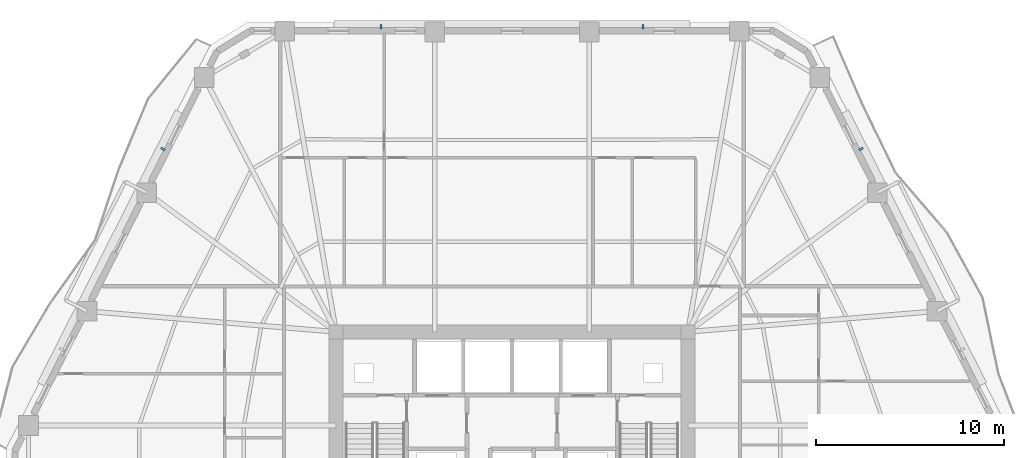
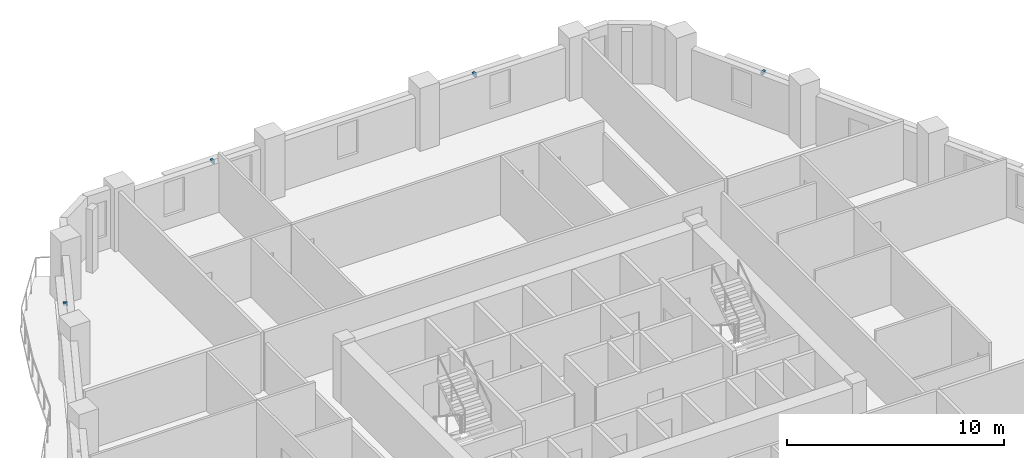
# One storey, part 9 of 13: 4 discrete accessories.
"""IFC4 building model written with IfcOpenShell, lengths in metres."""

from ifc_helpers import new_model, si_unit, direction, frame, origin, origin_2d, place, context, subcontext, project, spatial, rectangle, extrude, material, type_object, element, save


model = new_model("IFC4")

# Units and contexts
model_context = context("Model", 3, precision=1e-05, world=origin(), true_north=direction((0.0, 1.0)))
body_context = subcontext(model_context, "Body", "Model", "MODEL_VIEW")
ifc_project = project(units=[si_unit("LENGTHUNIT", "METRE"), si_unit("AREAUNIT", "SQUARE_METRE"), si_unit("VOLUMEUNIT", "CUBIC_METRE"), si_unit("PLANEANGLEUNIT", "RADIAN"), si_unit("MASSUNIT", "GRAM", prefix="KILO")], contexts=[model_context])

# Site, building, storey
site_placement = place(None, origin())
site = spatial("IfcSite", under=ifc_project, at=site_placement, CompositionType="ELEMENT")
building_placement = place(site_placement, origin())
building = spatial("IfcBuilding", under=site, at=building_placement, Name="Cinnabar Lancet Tower", CompositionType="ELEMENT")
storey_placement = place(building_placement, frame((0.0, 0.0, 80.0)))
storey = spatial("IfcBuildingStorey", under=building, at=storey_placement, Name="L20", CompositionType="ELEMENT", Elevation=80.0)

# Discrete accessories
ifc_material = material(Name="Stainless steel 316 facade fixing bracket", Category="steel")
discrete_accessory_type = type_object("IfcDiscreteAccessoryType", Name="ENV-ACC-BRK-180", PredefinedType="BRACKET", material=ifc_material)
for number, where, z_axis, x_axis, name in (
    (1, (50.993896484375, 43.02099609375, 2.60009765625), (0.0, 0.0, 1.0), (-0.451500573218, 0.892270829056, 0.0), "L20 Face 3 Sunshade Bracket B"),
    (2, (39.383056640625, 49.5400390625, 2.60009765625), (0.0, 0.0, 1.0), (-1.0, 0.0, 0.0), "L20 Face 4 Sunshade Bracket A"),
    (3, (25.4169921875, 49.5400390625, 2.60009765625), (0.0, 0.0, 1.0), (-1.0, 0.0, 0.0), "L20 Face 4 Sunshade Bracket B"),
    (4, (13.805908203125, 43.02099609375, 2.60009765625), (0.0, 0.0, 1.0), (-0.451500573218, -0.892270829056, 0.0), "L20 Face 5 Sunshade Bracket A"),
):
    element("IfcDiscreteAccessory", number, at=place(storey_placement, frame(where, z_axis=z_axis, x_axis=x_axis)), inside=storey, type_object=discrete_accessory_type, Name=name, PredefinedType="BRACKET", context=body_context, shape_type="SweptSolid", body=[
        extrude(rectangle(XDim=0.1201171875, YDim=0.239990234375, at=origin_2d()), origin(), (0.0, 0.0, 1.0), 0.159912109375),
    ])

save(model, "model.ifc")
